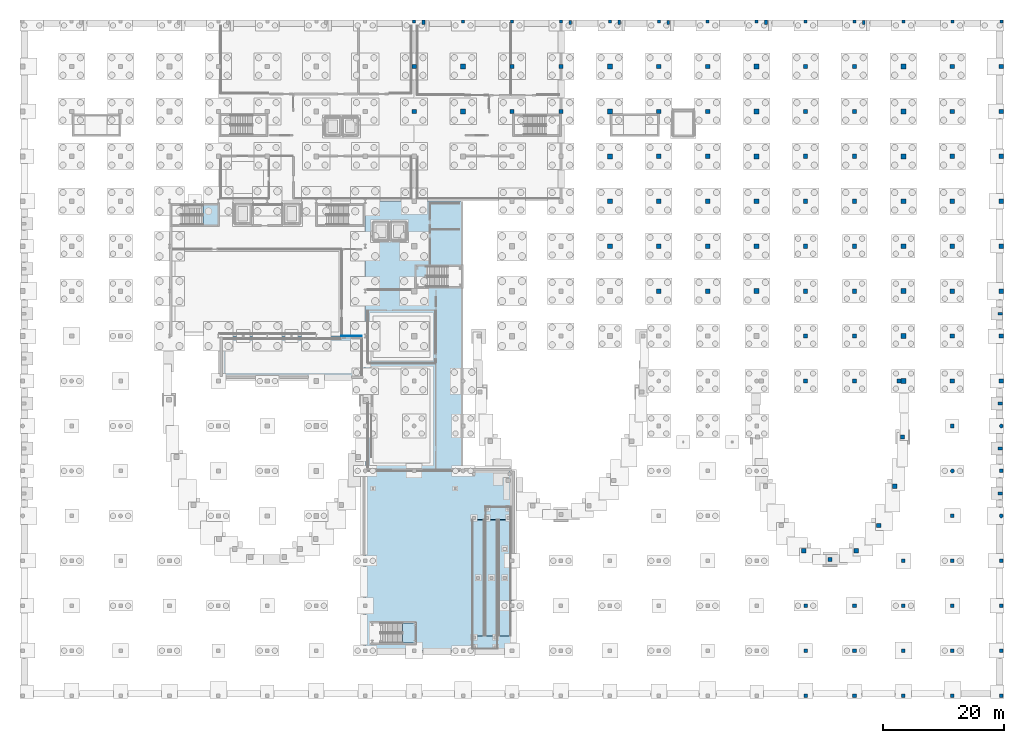
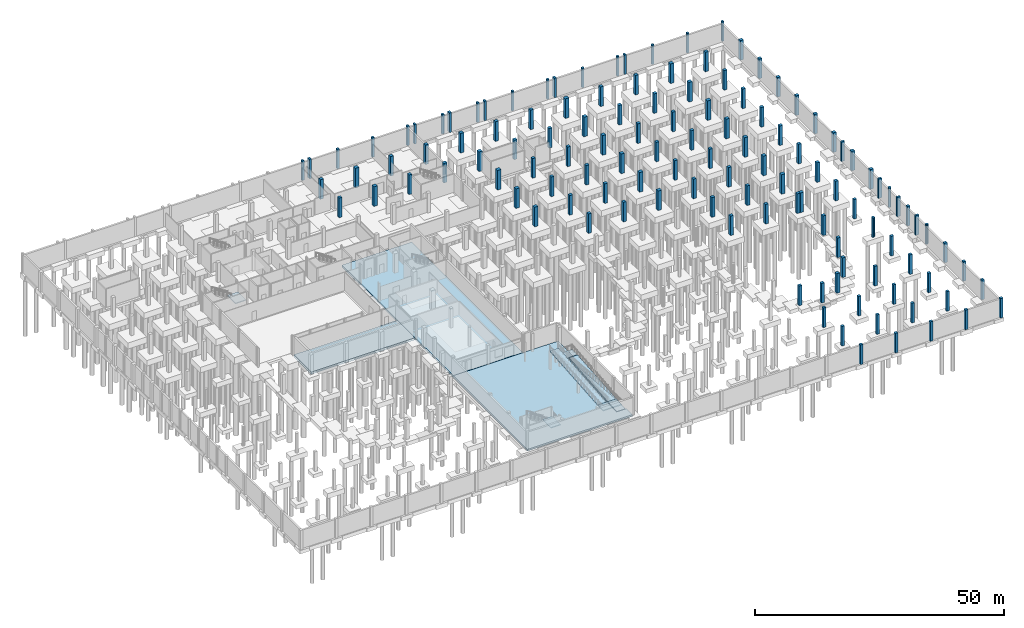
# One storey, part 22 of 37: 125 columns, 11 slabs, 2 elements without a shape of their own.
"""IFC4 building model written with IfcOpenShell, lengths in metres."""

from ifc_helpers import new_model, si_unit, direction, frame, origin, origin_2d, place, context, subcontext, project, spatial, polyline, rectangle, circle, outline, extrude, material, layer, layer_set, material_profile, profile_set, type_object, element, aggregate, save


model = new_model("IFC4")

# Units and contexts
model_context = context("Model", 3, precision=1e-05, world=origin(), true_north=direction((0.0, 1.0)))
body_context = subcontext(model_context, "Body", "Model", "MODEL_VIEW")
ifc_project = project(units=[si_unit("LENGTHUNIT", "METRE"), si_unit("AREAUNIT", "SQUARE_METRE"), si_unit("VOLUMEUNIT", "CUBIC_METRE"), si_unit("PLANEANGLEUNIT", "RADIAN"), si_unit("MASSUNIT", "GRAM", prefix="KILO")], contexts=[model_context])

# Site, building, storey
site_placement = place(None, origin())
site = spatial("IfcSite", under=ifc_project, at=site_placement, CompositionType="ELEMENT")
building_placement = place(site_placement, origin())
building = spatial("IfcBuilding", under=site, at=building_placement, Name="Kaelora Sail Theatre", CompositionType="ELEMENT")
storey_placement = place(building_placement, frame((0.0, 0.0, -4.800048828125)))
storey = spatial("IfcBuildingStorey", under=building, at=storey_placement, Name="B1", CompositionType="ELEMENT", Elevation=-4.800048828125)

# Columns
ifc_material_1 = material(Name="Concrete C40/50", Category="concrete")
ifc_material_profile_1 = material_profile(ifc_material_1, rectangle(XDim=0.5, YDim=0.5, at=origin_2d()), Name="RC-COL 500x500")
ifc_profile_set_1 = profile_set([ifc_material_profile_1], Name="Concrete C40/50")
column_type_1 = type_object("IfcColumnType", Name="STR-COL-C-RC500", PredefinedType="COLUMN", material=ifc_profile_set_1)
for number, where, z_axis, x_axis, name in (
    (1, (66.300048828125, 113.10009765625, 0.0), (0.0, 0.0, 1.0), (1.0, 0.0, 0.0), "Column 9/P (B1)"),
    (2, (74.39990234375, 113.10009765625, 0.0), (0.0, 0.0, 1.0), (1.0, 0.0, 0.0), "Column 10/P (B1)"),
    (3, (82.5, 113.10009765625, 0.0), (0.0, 0.0, 1.0), (1.0, 0.0, 0.0), "Column 11/P (B1)"),
    (4, (90.60009765625, 113.10009765625, 0.0), (0.0, 0.0, 1.0), (1.0, 0.0, 0.0), "Column 12/P (B1)"),
    (5, (98.699951171875, 113.10009765625, 0.0), (0.0, 0.0, 1.0), (1.0, 0.0, 0.0), "Column 13/P (B1)"),
    (6, (106.800048828125, 113.10009765625, 0.0), (0.0, 0.0, 1.0), (1.0, 0.0, 0.0), "Column 14/P (B1)"),
    (7, (114.89990234375, 113.10009765625, 0.0), (0.0, 0.0, 1.0), (1.0, 0.0, 0.0), "Column 15/P (B1)"),
    (8, (123.0, 113.10009765625, 0.0), (0.0, 0.0, 1.0), (1.0, 0.0, 0.0), "Column 16/P (B1)"),
    (9, (131.10009765625, 113.10009765625, 0.0), (0.0, 0.0, 1.0), (1.0, 0.0, 0.0), "Column 17/P (B1)"),
    (10, (139.199951171875, 113.10009765625, 0.0), (0.0, 0.0, 1.0), (1.0, 0.0, 0.0), "Column 18/P (B1)"),
    (11, (147.300048828125, 113.10009765625, 0.0), (0.0, 0.0, 1.0), (1.0, 0.0, 0.0), "Column 19/P (B1)"),
    (12, (155.39990234375, 113.10009765625, 0.0), (0.0, 0.0, 1.0), (1.0, 0.0, 0.0), "Column 20/P (B1)"),
    (13, (163.5, 113.10009765625, 0.0), (0.0, 0.0, 1.0), (1.0, 0.0, 0.0), "Column 21/P (B1)"),
):
    element("IfcColumn", number, at=place(storey_placement, frame(where, z_axis=z_axis, x_axis=x_axis)), inside=storey, type_object=column_type_1, Name=name, PredefinedType="COLUMN", context=body_context, shape_type="SweptSolid", body=[
        extrude(rectangle(XDim=0.5, YDim=0.5, at=origin_2d()), origin(), (0.0, 0.0, 1.0), 4.800048828125),
    ])
ifc_material_2 = material(Name="Concrete C40/50", Category="concrete")
ifc_material_profile_2 = material_profile(ifc_material_2, rectangle(XDim=0.60009765625, YDim=0.60009765625, at=origin_2d()), Name="RC-COL 600x600")
ifc_profile_set_2 = profile_set([ifc_material_profile_2], Name="Concrete C40/50")
column_type_2 = type_object("IfcColumnType", Name="STR-COL-C-RC600", PredefinedType="COLUMN", material=ifc_profile_set_2)
for number, where, z_axis, x_axis, name in (
    (14, (131.10009765625, 1.5, 0.0), (0.0, 0.0, 1.0), (1.0, 0.0, 0.0), "Column 17/A (B1)"),
    (15, (131.10009765625, 8.93994140625, 0.0), (0.0, 0.0, 1.0), (1.0, 0.0, 0.0), "Column 17/B (B1)"),
    (16, (131.10009765625, 16.3798828125, 0.0), (0.0, 0.0, 1.0), (1.0, 0.0, 0.0), "Column 17/C (B1)"),
    (17, (139.199951171875, 1.5, 0.0), (0.0, 0.0, 1.0), (1.0, 0.0, 0.0), "Column 18/A (B1)"),
    (18, (139.199951171875, 8.93994140625, 0.0), (0.0, 0.0, 1.0), (1.0, 0.0, 0.0), "Column 18/B (B1)"),
    (19, (139.199951171875, 16.3798828125, 0.0), (0.0, 0.0, 1.0), (1.0, 0.0, 0.0), "Column 18/C (B1)"),
    (20, (147.300048828125, 1.5, 0.0), (0.0, 0.0, 1.0), (1.0, 0.0, 0.0), "Column 19/A (B1)"),
    (21, (147.300048828125, 8.93994140625, 0.0), (0.0, 0.0, 1.0), (1.0, 0.0, 0.0), "Column 19/B (B1)"),
    (22, (147.300048828125, 16.3798828125, 0.0), (0.0, 0.0, 1.0), (1.0, 0.0, 0.0), "Column 19/C (B1)"),
    (23, (147.300048828125, 23.820068359375, 0.0), (0.0, 0.0, 1.0), (1.0, 0.0, 0.0), "Column 19/D (B1)"),
    (24, (155.39990234375, 1.5, 0.0), (0.0, 0.0, 1.0), (1.0, 0.0, 0.0), "Column 20/A (B1)"),
    (25, (155.39990234375, 8.93994140625, 0.0), (0.0, 0.0, 1.0), (1.0, 0.0, 0.0), "Column 20/B (B1)"),
    (26, (155.39990234375, 16.3798828125, 0.0), (0.0, 0.0, 1.0), (1.0, 0.0, 0.0), "Column 20/C (B1)"),
    (27, (155.39990234375, 23.820068359375, 0.0), (0.0, 0.0, 1.0), (1.0, 0.0, 0.0), "Column 20/D (B1)"),
    (28, (155.39990234375, 31.260009765625, 0.0), (0.0, 0.0, 1.0), (1.0, 0.0, 0.0), "Column 20/E (B1)"),
    (29, (155.39990234375, 46.139892578125, 0.0), (0.0, 0.0, 1.0), (1.0, 0.0, 0.0), "Column 20/G (B1)"),
    (30, (163.5, 1.5, 0.0), (0.0, 0.0, 1.0), (1.0, 0.0, 0.0), "Column 21/A (B1)"),
    (31, (163.5, 8.93994140625, 0.0), (0.0, 0.0, 1.0), (1.0, 0.0, 0.0), "Column 21/B (B1)"),
    (32, (163.5, 16.3798828125, 0.0), (0.0, 0.0, 1.0), (1.0, 0.0, 0.0), "Column 21/C (B1)"),
    (33, (163.5, 23.820068359375, 0.0), (0.0, 0.0, 1.0), (1.0, 0.0, 0.0), "Column 21/D (B1)"),
    (34, (163.5, 38.699951171875, 0.0), (0.0, 0.0, 1.0), (1.0, 0.0, 0.0), "Column 21/F (B1)"),
):
    element("IfcColumn", number, at=place(storey_placement, frame(where, z_axis=z_axis, x_axis=x_axis)), inside=storey, type_object=column_type_2, Name=name, PredefinedType="COLUMN", context=body_context, shape_type="SweptSolid", body=[
        extrude(rectangle(XDim=0.60009765625, YDim=0.60009765625, at=origin_2d()), origin(), (0.0, 0.0, 1.0), 4.800048828125),
    ])
ifc_material_3 = material(Name="Concrete C45/55", Category="concrete")
ifc_material_profile_3 = material_profile(ifc_material_3, rectangle(XDim=0.699951171875, YDim=0.699951171875, at=origin_2d()), Name="RC-COL 700x700")
ifc_profile_set_3 = profile_set([ifc_material_profile_3], Name="Concrete C45/55")
column_type_3 = type_object("IfcColumnType", Name="STR-COL-C-RC700", PredefinedType="COLUMN", material=ifc_profile_set_3)
for number, where, z_axis, x_axis, name in (
    (35, (66.300048828125, 98.219970703125, 0.0), (0.0, 0.0, 1.0), (1.0, 0.0, 0.0), "Column 9/N (B1)"),
    (36, (66.300048828125, 105.659912109375, 0.0), (0.0, 0.0, 1.0), (1.0, 0.0, 0.0), "Column 9/O (B1)"),
    (37, (82.5, 98.219970703125, 0.0), (0.0, 0.0, 1.0), (1.0, 0.0, 0.0), "Column 11/N (B1)"),
    (38, (82.5, 105.659912109375, 0.0), (0.0, 0.0, 1.0), (1.0, 0.0, 0.0), "Column 11/O (B1)"),
    (39, (90.60009765625, 98.219970703125, 0.0), (0.0, 0.0, 1.0), (1.0, 0.0, 0.0), "Column 12/N (B1)"),
    (40, (90.60009765625, 105.659912109375, 0.0), (0.0, 0.0, 1.0), (1.0, 0.0, 0.0), "Column 12/O (B1)"),
    (41, (106.800048828125, 68.4599609375, 0.0), (0.0, 0.0, 1.0), (1.0, 0.0, 0.0), "Column 14/J (B1)"),
    (42, (106.800048828125, 75.89990234375, 0.0), (0.0, 0.0, 1.0), (1.0, 0.0, 0.0), "Column 14/K (B1)"),
    (43, (106.800048828125, 83.340087890625, 0.0), (0.0, 0.0, 1.0), (1.0, 0.0, 0.0), "Column 14/L (B1)"),
    (44, (106.800048828125, 90.780029296875, 0.0), (0.0, 0.0, 1.0), (1.0, 0.0, 0.0), "Column 14/M (B1)"),
    (45, (106.800048828125, 98.219970703125, 0.0), (0.0, 0.0, 1.0), (1.0, 0.0, 0.0), "Column 14/N (B1)"),
    (46, (106.800048828125, 105.659912109375, 0.0), (0.0, 0.0, 1.0), (1.0, 0.0, 0.0), "Column 14/O (B1)"),
    (47, (114.89990234375, 68.4599609375, 0.0), (0.0, 0.0, 1.0), (1.0, 0.0, 0.0), "Column 15/J (B1)"),
    (48, (114.89990234375, 75.89990234375, 0.0), (0.0, 0.0, 1.0), (1.0, 0.0, 0.0), "Column 15/K (B1)"),
    (49, (114.89990234375, 83.340087890625, 0.0), (0.0, 0.0, 1.0), (1.0, 0.0, 0.0), "Column 15/L (B1)"),
    (50, (114.89990234375, 90.780029296875, 0.0), (0.0, 0.0, 1.0), (1.0, 0.0, 0.0), "Column 15/M (B1)"),
    (51, (114.89990234375, 98.219970703125, 0.0), (0.0, 0.0, 1.0), (1.0, 0.0, 0.0), "Column 15/N (B1)"),
    (52, (114.89990234375, 105.659912109375, 0.0), (0.0, 0.0, 1.0), (1.0, 0.0, 0.0), "Column 15/O (B1)"),
    (53, (131.10009765625, 53.580078125, 0.0), (0.0, 0.0, 1.0), (1.0, 0.0, 0.0), "Column 17/H (B1)"),
    (54, (131.10009765625, 61.02001953125, 0.0), (0.0, 0.0, 1.0), (1.0, 0.0, 0.0), "Column 17/I (B1)"),
    (55, (131.10009765625, 68.4599609375, 0.0), (0.0, 0.0, 1.0), (1.0, 0.0, 0.0), "Column 17/J (B1)"),
    (56, (131.10009765625, 75.89990234375, 0.0), (0.0, 0.0, 1.0), (1.0, 0.0, 0.0), "Column 17/K (B1)"),
    (57, (131.10009765625, 83.340087890625, 0.0), (0.0, 0.0, 1.0), (1.0, 0.0, 0.0), "Column 17/L (B1)"),
    (58, (131.10009765625, 90.780029296875, 0.0), (0.0, 0.0, 1.0), (1.0, 0.0, 0.0), "Column 17/M (B1)"),
    (59, (131.10009765625, 98.219970703125, 0.0), (0.0, 0.0, 1.0), (1.0, 0.0, 0.0), "Column 17/N (B1)"),
    (60, (131.10009765625, 105.659912109375, 0.0), (0.0, 0.0, 1.0), (1.0, 0.0, 0.0), "Column 17/O (B1)"),
    (61, (139.199951171875, 53.580078125, 0.0), (0.0, 0.0, 1.0), (1.0, 0.0, 0.0), "Column 18/H (B1)"),
    (62, (139.199951171875, 61.02001953125, 0.0), (0.0, 0.0, 1.0), (1.0, 0.0, 0.0), "Column 18/I (B1)"),
    (63, (139.199951171875, 68.4599609375, 0.0), (0.0, 0.0, 1.0), (1.0, 0.0, 0.0), "Column 18/J (B1)"),
    (64, (139.199951171875, 75.89990234375, 0.0), (0.0, 0.0, 1.0), (1.0, 0.0, 0.0), "Column 18/K (B1)"),
    (65, (139.199951171875, 83.340087890625, 0.0), (0.0, 0.0, 1.0), (1.0, 0.0, 0.0), "Column 18/L (B1)"),
    (66, (139.199951171875, 90.780029296875, 0.0), (0.0, 0.0, 1.0), (1.0, 0.0, 0.0), "Column 18/M (B1)"),
    (67, (139.199951171875, 98.219970703125, 0.0), (0.0, 0.0, 1.0), (1.0, 0.0, 0.0), "Column 18/N (B1)"),
    (68, (139.199951171875, 105.659912109375, 0.0), (0.0, 0.0, 1.0), (1.0, 0.0, 0.0), "Column 18/O (B1)"),
    (69, (155.39990234375, 53.580078125, 0.0), (0.0, 0.0, 1.0), (1.0, 0.0, 0.0), "Column 20/H (B1)"),
    (70, (155.39990234375, 61.02001953125, 0.0), (0.0, 0.0, 1.0), (1.0, 0.0, 0.0), "Column 20/I (B1)"),
    (71, (155.39990234375, 68.4599609375, 0.0), (0.0, 0.0, 1.0), (1.0, 0.0, 0.0), "Column 20/J (B1)"),
    (72, (155.39990234375, 75.89990234375, 0.0), (0.0, 0.0, 1.0), (1.0, 0.0, 0.0), "Column 20/K (B1)"),
    (73, (155.39990234375, 83.340087890625, 0.0), (0.0, 0.0, 1.0), (1.0, 0.0, 0.0), "Column 20/L (B1)"),
    (74, (155.39990234375, 90.780029296875, 0.0), (0.0, 0.0, 1.0), (1.0, 0.0, 0.0), "Column 20/M (B1)"),
    (75, (155.39990234375, 98.219970703125, 0.0), (0.0, 0.0, 1.0), (1.0, 0.0, 0.0), "Column 20/N (B1)"),
    (76, (155.39990234375, 105.659912109375, 0.0), (0.0, 0.0, 1.0), (1.0, 0.0, 0.0), "Column 20/O (B1)"),
    (77, (163.5, 53.580078125, 0.0), (0.0, 0.0, 1.0), (1.0, 0.0, 0.0), "Column 21/H (B1)"),
    (78, (163.5, 61.02001953125, 0.0), (0.0, 0.0, 1.0), (1.0, 0.0, 0.0), "Column 21/I (B1)"),
    (79, (163.5, 68.4599609375, 0.0), (0.0, 0.0, 1.0), (1.0, 0.0, 0.0), "Column 21/J (B1)"),
    (80, (163.5, 75.89990234375, 0.0), (0.0, 0.0, 1.0), (1.0, 0.0, 0.0), "Column 21/K (B1)"),
    (81, (163.5, 83.340087890625, 0.0), (0.0, 0.0, 1.0), (1.0, 0.0, 0.0), "Column 21/L (B1)"),
    (82, (163.5, 90.780029296875, 0.0), (0.0, 0.0, 1.0), (1.0, 0.0, 0.0), "Column 21/M (B1)"),
    (83, (163.5, 98.219970703125, 0.0), (0.0, 0.0, 1.0), (1.0, 0.0, 0.0), "Column 21/N (B1)"),
    (84, (163.5, 105.659912109375, 0.0), (0.0, 0.0, 1.0), (1.0, 0.0, 0.0), "Column 21/O (B1)"),
    (85, (146.550048828125, 53.580078125, 0.0), (0.0, 0.0, 1.0), (1.0, 0.0, 0.0), "Black-Box Theatre north corner column NE (B1)"),
    (86, (147.154541015625, 44.324951171875, 0.0), (0.0, 0.0, 1.0), (1.0, 0.0, 0.0), "Black-Box Theatre drum column K02 (B1)"),
    (87, (145.848876953125, 36.177978515625, 0.0), (0.0, 0.0, 1.0), (1.0, 0.0, 0.0), "Black-Box Theatre drum column K04 (B1)"),
    (88, (143.233642578125, 29.6826171875, 0.0), (0.0, 0.0, 1.0), (1.0, 0.0, 0.0), "Black-Box Theatre drum column K06 (B1)"),
    (89, (139.50634765625, 25.48828125, 0.0), (0.0, 0.0, 1.0), (1.0, 0.0, 0.0), "Black-Box Theatre drum column K08 (B1)"),
    (90, (135.14990234375, 24.0400390625, 0.0), (0.0, 0.0, 1.0), (1.0, 0.0, 0.0), "Black-Box Theatre drum column K10 (B1)"),
    (91, (130.793701171875, 25.48828125, 0.0), (0.0, 0.0, 1.0), (1.0, 0.0, 0.0), "Black-Box Theatre drum column K12 (B1)"),
):
    element("IfcColumn", number, at=place(storey_placement, frame(where, z_axis=z_axis, x_axis=x_axis)), inside=storey, type_object=column_type_3, Name=name, PredefinedType="COLUMN", context=body_context, shape_type="SweptSolid", body=[
        extrude(rectangle(XDim=0.699951171875, YDim=0.699951171875, at=origin_2d()), origin(), (0.0, 0.0, 1.0), 4.800048828125),
    ])
ifc_material_4 = material(Name="Concrete C50/60", Category="concrete")
ifc_material_profile_4 = material_profile(ifc_material_4, rectangle(XDim=0.800048828125, YDim=0.800048828125, at=origin_2d()), Name="RC-COL 800x800")
ifc_profile_set_4 = profile_set([ifc_material_profile_4], Name="Concrete C50/60")
column_type_4 = type_object("IfcColumnType", Name="STR-COL-C-RC800", PredefinedType="COLUMN", material=ifc_profile_set_4)
for number, where, z_axis, x_axis, name in (
    (92, (74.39990234375, 98.219970703125, 0.0), (0.0, 0.0, 1.0), (1.0, 0.0, 0.0), "Column 10/N (B1)"),
    (93, (74.39990234375, 105.659912109375, 0.0), (0.0, 0.0, 1.0), (1.0, 0.0, 0.0), "Column 10/O (B1)"),
    (94, (98.699951171875, 75.89990234375, 0.0), (0.0, 0.0, 1.0), (1.0, 0.0, 0.0), "Column 13/K (B1)"),
    (95, (98.699951171875, 83.340087890625, 0.0), (0.0, 0.0, 1.0), (1.0, 0.0, 0.0), "Column 13/L (B1)"),
    (96, (98.699951171875, 90.780029296875, 0.0), (0.0, 0.0, 1.0), (1.0, 0.0, 0.0), "Column 13/M (B1)"),
    (97, (98.699951171875, 98.219970703125, 0.0), (0.0, 0.0, 1.0), (1.0, 0.0, 0.0), "Column 13/N (B1)"),
    (98, (98.699951171875, 105.659912109375, 0.0), (0.0, 0.0, 1.0), (1.0, 0.0, 0.0), "Column 13/O (B1)"),
    (99, (123.0, 68.4599609375, 0.0), (0.0, 0.0, 1.0), (1.0, 0.0, 0.0), "Column 16/J (B1)"),
    (100, (123.0, 75.89990234375, 0.0), (0.0, 0.0, 1.0), (1.0, 0.0, 0.0), "Column 16/K (B1)"),
    (101, (123.0, 83.340087890625, 0.0), (0.0, 0.0, 1.0), (1.0, 0.0, 0.0), "Column 16/L (B1)"),
    (102, (123.0, 90.780029296875, 0.0), (0.0, 0.0, 1.0), (1.0, 0.0, 0.0), "Column 16/M (B1)"),
    (103, (123.0, 98.219970703125, 0.0), (0.0, 0.0, 1.0), (1.0, 0.0, 0.0), "Column 16/N (B1)"),
    (104, (123.0, 105.659912109375, 0.0), (0.0, 0.0, 1.0), (1.0, 0.0, 0.0), "Column 16/O (B1)"),
    (105, (147.300048828125, 53.580078125, 0.0), (0.0, 0.0, 1.0), (1.0, 0.0, 0.0), "Column 19/H (B1)"),
    (106, (147.300048828125, 61.02001953125, 0.0), (0.0, 0.0, 1.0), (1.0, 0.0, 0.0), "Column 19/I (B1)"),
    (107, (147.300048828125, 68.4599609375, 0.0), (0.0, 0.0, 1.0), (1.0, 0.0, 0.0), "Column 19/J (B1)"),
    (108, (147.300048828125, 75.89990234375, 0.0), (0.0, 0.0, 1.0), (1.0, 0.0, 0.0), "Column 19/K (B1)"),
    (109, (147.300048828125, 83.340087890625, 0.0), (0.0, 0.0, 1.0), (1.0, 0.0, 0.0), "Column 19/L (B1)"),
    (110, (147.300048828125, 90.780029296875, 0.0), (0.0, 0.0, 1.0), (1.0, 0.0, 0.0), "Column 19/M (B1)"),
    (111, (147.300048828125, 98.219970703125, 0.0), (0.0, 0.0, 1.0), (1.0, 0.0, 0.0), "Column 19/N (B1)"),
    (112, (147.300048828125, 105.659912109375, 0.0), (0.0, 0.0, 1.0), (1.0, 0.0, 0.0), "Column 19/O (B1)"),
):
    element("IfcColumn", number, at=place(storey_placement, frame(where, z_axis=z_axis, x_axis=x_axis)), inside=storey, type_object=column_type_4, Name=name, PredefinedType="COLUMN", context=body_context, shape_type="SweptSolid", body=[
        extrude(rectangle(XDim=0.800048828125, YDim=0.800048828125, at=origin_2d()), origin(), (0.0, 0.0, 1.0), 4.800048828125),
    ])
ifc_material_5 = material(Name="Concrete C45/55", Category="concrete")
ifc_material_profile_5 = material_profile(ifc_material_5, circle(Radius=0.324951171875, at=origin_2d()), Name="RC-CCOL D650")
ifc_profile_set_5 = profile_set([ifc_material_profile_5], Name="Concrete C45/55")
column_type_5 = type_object("IfcColumnType", Name="STR-COL-C-RCD650", PredefinedType="COLUMN", material=ifc_profile_set_5)
for number, where, z_axis, x_axis, name in (
    (113, (155.39990234375, 38.699951171875, 0.0), (0.0, 0.0, 1.0), (1.0, 0.0, 0.0), "Column 20/F (B1)"),
    (114, (163.5, 31.260009765625, 0.0), (0.0, 0.0, 1.0), (1.0, 0.0, 0.0), "Column 21/E (B1)"),
    (115, (163.5, 46.139892578125, 0.0), (0.0, 0.0, 1.0), (1.0, 0.0, 0.0), "Column 21/G (B1)"),
):
    element("IfcColumn", number, at=place(storey_placement, frame(where, z_axis=z_axis, x_axis=x_axis)), inside=storey, type_object=column_type_5, Name=name, PredefinedType="COLUMN", context=body_context, shape_type="SweptSolid", body=[
        extrude(circle(Radius=0.324951171875, at=origin_2d()), origin(), (0.0, 0.0, 1.0), 4.800048828125),
    ])
ifc_material_6 = material(Name="Precast concrete C45/55", Category="concrete")
ifc_material_profile_6 = material_profile(ifc_material_6, rectangle(XDim=0.39990234375, YDim=0.64990234375, at=origin_2d()), Name="RC-PIL 400x650")
ifc_profile_set_6 = profile_set([ifc_material_profile_6], Name="Precast concrete C45/55")
column_type_6 = type_object("IfcColumnType", Name="STR-COL-PL-RC4065", PredefinedType="PILASTER", material=ifc_profile_set_6)
for number, where, z_axis, x_axis, name in (
    (116, (92.14990234375, 112.949951171875, 0.0), (0.0, 0.0, 1.0), (1.0, 0.0, 0.0), "Postmodern terracotta precast pilaster B1 N06"),
    (117, (108.35009765625, 112.949951171875, 0.0), (0.0, 0.0, 1.0), (1.0, 0.0, 0.0), "Postmodern terracotta precast pilaster B1 N08"),
    (118, (140.75, 112.949951171875, 0.0), (0.0, 0.0, 1.0), (1.0, 0.0, 0.0), "Postmodern terracotta precast pilaster B1 N10"),
):
    element("IfcColumn", number, at=place(storey_placement, frame(where, z_axis=z_axis, x_axis=x_axis)), inside=storey, type_object=column_type_6, Name=name, PredefinedType="PILASTER", context=body_context, shape_type="SweptSolid", body=[
        extrude(rectangle(XDim=0.39990234375, YDim=0.64990234375, at=origin_2d()), origin(), (0.0, 0.0, 1.0), 4.800048828125),
    ])
ifc_material_7 = material(Name="Precast concrete C45/55", Category="concrete")
ifc_material_profile_7 = material_profile(ifc_material_7, rectangle(XDim=0.449951171875, YDim=0.75, at=origin_2d()), Name="RC-PIL 450x750")
ifc_profile_set_7 = profile_set([ifc_material_profile_7], Name="Precast concrete C45/55")
column_type_7 = type_object("IfcColumnType", Name="STR-COL-PL-RC4575", PredefinedType="PILASTER", material=ifc_profile_set_7)
for number, where, z_axis, x_axis, name in (
    (119, (67.85009765625, 112.949951171875, 0.0), (0.0, 0.0, 1.0), (1.0, 0.0, 0.0), "Postmodern terracotta precast pilaster B1 N05"),
    (120, (100.25, 112.949951171875, 0.0), (0.0, 0.0, 1.0), (1.0, 0.0, 0.0), "Postmodern terracotta precast pilaster B1 N07"),
    (121, (124.550048828125, 112.949951171875, 0.0), (0.0, 0.0, 1.0), (1.0, 0.0, 0.0), "Postmodern terracotta precast pilaster B1 N09"),
    (122, (163.35009765625, 34.97998046875, 0.0), (0.0, 0.0, 1.0), (0.0, 1.0, 0.0), "Postmodern colonnade pilaster B1 E04"),
    (123, (163.35009765625, 42.419921875, 0.0), (0.0, 0.0, 1.0), (0.0, 1.0, 0.0), "Postmodern colonnade pilaster B1 E05"),
    (124, (163.35009765625, 49.860107421875, 0.0), (0.0, 0.0, 1.0), (0.0, 1.0, 0.0), "Postmodern colonnade pilaster B1 E06"),
    (125, (163.35009765625, 64.739990234375, 0.0), (0.0, 0.0, 1.0), (0.0, 1.0, 0.0), "Postmodern colonnade pilaster B1 E08"),
):
    element("IfcColumn", number, at=place(storey_placement, frame(where, z_axis=z_axis, x_axis=x_axis)), inside=storey, type_object=column_type_7, Name=name, PredefinedType="PILASTER", context=body_context, shape_type="SweptSolid", body=[
        extrude(rectangle(XDim=0.449951171875, YDim=0.75, at=origin_2d()), origin(), (0.0, 0.0, 1.0), 4.800048828125),
    ])

# Stair, slab
ifc_material_8 = material(Name="Concrete C40/50", Category="concrete")
stair_type_1 = type_object("IfcStairType", Name="ARC-ST-ESC150", PredefinedType="HALF_TURN_STAIR", material=ifc_material_8)
stair_1_placement = place(storey_placement, origin())
stair_1 = element("IfcStair", 126, at=stair_1_placement, inside=storey, type_object=stair_type_1, Name="B1 ST-K1", PredefinedType="HALF_TURN_STAIR")
ifc_material_9 = material(Name="Concrete C40/50", Category="concrete")
ifc_layer_1 = layer(ifc_material_9, 0.219970703125)
ifc_layer_set_1 = layer_set([ifc_layer_1], Name="Concrete C40/50")
slab_type_1 = type_object("IfcSlabType", Name="ARC-SLB-LND220", PredefinedType="LANDING", material=ifc_layer_set_1)
slab_1_placement = place(storey_placement, frame((0.0, 0.0, 2.199951171875)))
slab_1 = element("IfcSlab", 127, at=slab_1_placement, type_object=slab_type_1, Name="ST-K1 landing 1", PredefinedType="LANDING", context=body_context, shape_type="SweptSolid", body=[
    extrude(outline(polyline([(31.35009765625, 79.449951171875), (33.800048828125, 79.449951171875), (33.800048828125, 82.699951171875), (31.35009765625, 82.699951171875), (31.35009765625, 79.449951171875)])), origin(), (0.0, 0.0, 1.0), 0.2001953125),
])
aggregate(stair_1, [slab_1])

ifc_material_10 = material(Name="Precast concrete C45/55", Category="concrete")
stair_type_2 = type_object("IfcStairType", Name="ARC-ST-FOY165", PredefinedType="HALF_TURN_STAIR", material=ifc_material_10)
stair_2_placement = place(storey_placement, origin())
stair_2 = element("IfcStair", 128, at=stair_2_placement, inside=storey, type_object=stair_type_2, Name="B1 ST-PLZ", PredefinedType="HALF_TURN_STAIR")
ifc_material_11 = material(Name="Precast concrete C45/55", Category="concrete")
ifc_layer_2 = layer(ifc_material_11, 0.239990234375)
ifc_layer_set_2 = layer_set([ifc_layer_2], Name="Precast concrete C45/55")
slab_type_2 = type_object("IfcSlabType", Name="ARC-SLB-LND240", PredefinedType="LANDING", material=ifc_layer_set_2)
slab_2_placement = place(storey_placement, frame((0.0, 0.0, 2.199951171875)))
slab_2 = element("IfcSlab", 129, at=slab_2_placement, type_object=slab_type_2, Name="ST-PLZ landing 1", PredefinedType="LANDING", context=body_context, shape_type="SweptSolid", body=[
    extrude(outline(polyline([(64.389892578125, 10.199951171875), (66.64990234375, 10.199951171875), (66.64990234375, 13.550048828125), (64.389892578125, 13.550048828125), (64.389892578125, 10.199951171875)])), origin(), (0.0, 0.0, 1.0), 0.2001953125),
])
aggregate(stair_2, [slab_2])

# Slabs
ifc_material_12 = material(Name="Concrete C40/50", Category="concrete")
ifc_layer_3 = layer(ifc_material_12, 0.449951171875)
ifc_layer_set_3 = layer_set([ifc_layer_3], Name="Concrete C40/50")
slab_type_3 = type_object("IfcSlabType", Name="STR-SLB-SL-BS450", PredefinedType="BASESLAB", material=ifc_layer_set_3)
slab_3_placement = place(storey_placement, frame((0.0, 0.0, -0.449951171875)))
element("IfcSlab", 130, at=slab_3_placement, inside=storey, type_object=slab_type_3, Name="Basement base slab BS-SCOURT", PredefinedType="BASESLAB", context=body_context, shape_type="SweptSolid", body=[
    extrude(outline(polyline([(58.199951171875, 8.93994140625), (82.5, 8.93994140625), (82.5, 11.35009765625), (80.25, 11.35009765625), (80.25, 14.699951171875), (82.5, 14.699951171875), (82.5, 38.669921875), (58.199951171875, 38.669921875), (58.199951171875, 8.93994140625)])), origin(), (0.0, 0.0, 1.0), 0.449951171875),
])
ifc_material_13 = material(Name="Concrete C40/50", Category="concrete")
ifc_layer_4 = layer(ifc_material_13, 0.5)
ifc_layer_set_4 = layer_set([ifc_layer_4], Name="Concrete C40/50")
slab_type_4 = type_object("IfcSlabType", Name="STR-SLB-SL-BS500", PredefinedType="BASESLAB", material=ifc_layer_set_4)
slab_4_placement = place(storey_placement, frame((0.0, 0.0, -0.5)))
element("IfcSlab", 131, at=slab_4_placement, inside=storey, type_object=slab_type_4, Name="Basement base slab BS-FC1", PredefinedType="BASESLAB", context=body_context, shape_type="SweptSolid", body=[
    extrude(outline(polyline([(58.22998046875, 38.699951171875), (74.3701171875, 38.699951171875), (74.3701171875, 83.31005859375), (58.22998046875, 83.31005859375), (58.22998046875, 38.699951171875)])), origin(), (0.0, 0.0, 1.0), 0.5),
])
ifc_material_14 = material(Name="Concrete C45/55", Category="concrete")
ifc_layer_5 = layer(ifc_material_14, 0.550048828125)
ifc_layer_set_5 = layer_set([ifc_layer_5], Name="Concrete C45/55")
slab_type_5 = type_object("IfcSlabType", Name="STR-SLB-SL-BS550", PredefinedType="BASESLAB", material=ifc_layer_set_5)
slab_5_placement = place(storey_placement, frame((0.0, 0.0, -0.550048828125)))
element("IfcSlab", 132, at=slab_5_placement, inside=storey, type_object=slab_type_5, Name="Basement base slab BS-OPIT", PredefinedType="BASESLAB", context=body_context, shape_type="SweptSolid", body=[
    extrude(outline(polyline([(34.199951171875, 54.0), (58.18505859375, 54.0), (58.18505859375, 61.0048828125), (34.199951171875, 61.0048828125), (34.199951171875, 54.0)])), origin(), (0.0, 0.0, 1.0), 0.550048828125),
])
ifc_material_15 = material(Name="Concrete C40/50", Category="concrete")
ifc_layer_6 = layer(ifc_material_15, 0.2548828125)
ifc_layer_set_6 = layer_set([ifc_layer_6], Name="Concrete C40/50")
slab_type_6 = type_object("IfcSlabType", Name="STR-SLB-SL-RMP255", PredefinedType="LANDING", material=ifc_layer_set_6)
slab_6_placement = place(storey_placement, frame((80.300048828125, 11.39990234375, 0.0), z_axis=(0.0, -0.08304967459, 0.996545408675), x_axis=(1.0, 0.0, 0.0)))
element("IfcSlab", 133, at=slab_6_placement, inside=storey, type_object=slab_type_6, Name="Accessible 1:12 Metro Plaza Ramp Flight 1", PredefinedType="LANDING", context=body_context, shape_type="SweptSolid", body=[
    extrude(outline(polyline([(0.0, 0.0), (2.0, 0.0), (2.0, 19.266754073991905), (0.0, 19.266754073991905), (0.0, 0.0)])), origin(), (0.0, 0.0, -1.0), 0.2548828125),
])
slab_7_placement = place(storey_placement, frame((78.10009765625, 11.39990234375, 3.199951171875), z_axis=(0.0, 0.083037090368, 0.996546457333), x_axis=(1.0, 0.0, 0.0)))
element("IfcSlab", 134, at=slab_7_placement, inside=storey, type_object=slab_type_6, Name="Accessible 1:12 Metro Plaza Ramp Flight 2", PredefinedType="LANDING", context=body_context, shape_type="SweptSolid", body=[
    extrude(outline(polyline([(0.0, 0.0), (2.0, 0.0), (2.0, 19.266733799728605), (0.0, 19.266733799728605), (0.0, 0.0)])), origin(), (0.0, 0.0, -1.0), 0.2548828125),
])
slab_8_placement = place(storey_placement, frame((75.89990234375, 11.39990234375, 3.199951171875), z_axis=(0.0, -0.08304967459, 0.996545408675), x_axis=(1.0, 0.0, 0.0)))
element("IfcSlab", 135, at=slab_8_placement, inside=storey, type_object=slab_type_6, Name="Accessible 1:12 Metro Plaza Ramp Flight 3", PredefinedType="LANDING", context=body_context, shape_type="SweptSolid", body=[
    extrude(outline(polyline([(0.0, 0.0), (2.0, 0.0), (2.0, 19.266754073991905), (0.0, 19.266754073991905), (0.0, 0.0)])), origin(), (0.0, 0.0, -1.0), 0.2548828125),
])
slab_9_placement = place(storey_placement, frame((0.0, 0.0, 1.344970703125)))
element("IfcSlab", 136, at=slab_9_placement, inside=storey, type_object=slab_type_6, Name="Accessible Metro Plaza Ramp Landing 1", PredefinedType="LANDING", context=body_context, shape_type="SweptSolid", body=[
    extrude(outline(polyline([(78.10009765625, 30.6298828125), (82.300048828125, 30.6298828125), (82.300048828125, 32.800048828125), (78.10009765625, 32.800048828125), (78.10009765625, 30.6298828125)])), origin(), (0.0, 0.0, 1.0), 0.255126953125),
])
slab_10_placement = place(storey_placement, frame((0.0, 0.0, 2.945068359375)))
element("IfcSlab", 137, at=slab_10_placement, inside=storey, type_object=slab_type_6, Name="Accessible Metro Plaza Ramp Landing 2", PredefinedType="LANDING", context=body_context, shape_type="SweptSolid", body=[
    extrude(outline(polyline([(75.89990234375, 9.199951171875), (80.10009765625, 9.199951171875), (80.10009765625, 11.3701171875), (75.89990234375, 11.3701171875), (75.89990234375, 9.199951171875)])), origin(), (0.0, 0.0, 1.0), 0.2548828125),
])
slab_11_placement = place(storey_placement, frame((0.0, 0.0, -0.2548828125)))
element("IfcSlab", 138, at=slab_11_placement, inside=storey, type_object=slab_type_6, Name="Acoustic movement-joint threshold plate JBR-B1-OPIT", PredefinedType="LANDING", context=body_context, shape_type="SweptSolid", body=[
    extrude(outline(polyline([(54.199951171875, 61.006103515625), (57.60009765625, 61.006103515625), (57.60009765625, 61.049072265625), (54.199951171875, 61.049072265625), (54.199951171875, 61.006103515625)])), origin(), (0.0, 0.0, 1.0), 0.2548828125),
])

save(model, "model.ifc")
